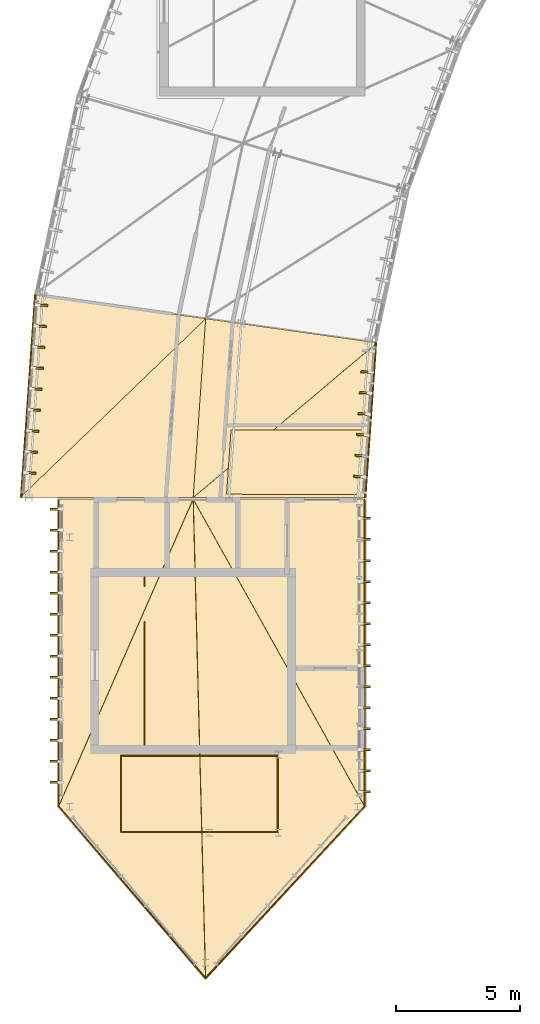
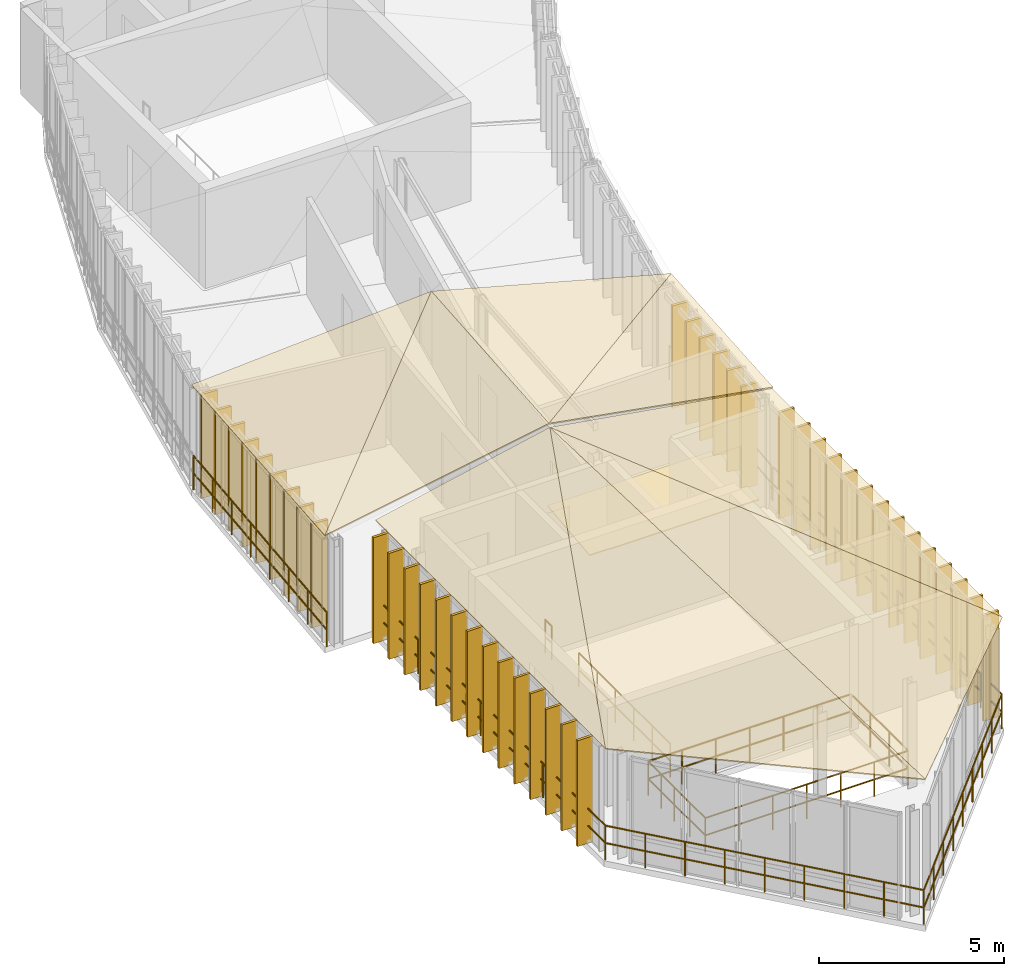
# One storey, part 16 of 18: 52 coverings, 8 railings.
"""IFC4 building model written with IfcOpenShell, lengths in metres."""

import ifcopenshell
import ifcopenshell.guid

model = None  # the IFC model being written
_history = None  # IfcOwnerHistory: only IFC2X3 demands one
_inside = {}  # id of a spatial element -> (the spatial element, [elements in it])
_under = {}  # id of a project, library or spatial element -> (it, [spatial elements below it])
_declared = {}  # id of a project -> (the project, [libraries it declares])
_typed = {}  # id of a type object -> (the type object, [elements of that type])
_made_of = {}  # id of a material, layer set ... -> (it, [elements and type objects made of it])


def new_model(schema):
    """Start an empty IFC model of exactly this schema.

    Asked for "IFC4X3", IfcOpenShell would pick the latest addendum, in which some entities
    have other attributes; the version numbers below select the first issue.
    IFC2X3 requires an IfcOwnerHistory on every rooted entity: one is made here for all.
    """
    global model, _history
    if schema == "IFC4X3":
        model = ifcopenshell.file(schema_version=(4, 3, 0, 0))
    else:
        model = ifcopenshell.file(schema=schema)
    _inside.clear()
    _under.clear()
    _declared.clear()
    _typed.clear()
    _made_of.clear()
    _history = None
    if model.schema == "IFC2X3":
        org = make("IfcOrganization", Name="unknown")
        user = make(
            "IfcPersonAndOrganization",
            ThePerson=make("IfcPerson", FamilyName="unknown"),
            TheOrganization=org,
        )
        app = make(
            "IfcApplication",
            ApplicationDeveloper=org,
            Version="unknown",
            ApplicationFullName="unknown",
            ApplicationIdentifier="unknown",
        )
        _history = make(
            "IfcOwnerHistory",
            OwningUser=user,
            OwningApplication=app,
            ChangeAction="ADDED",
            CreationDate=0,
        )
    return model


def make(cls, **values):
    """One entity of the class cls with the attributes given. An attribute that is None is left unset."""
    return model.create_entity(
        cls, **{name: value for name, value in values.items() if value is not None}
    )


def rooted(cls, **values):
    """An entity with a GlobalId (a new one), such as an element, a storey or a relation."""
    return make(cls, GlobalId=ifcopenshell.guid.new(), OwnerHistory=_history, **values)


def si_unit(unit_type, name, prefix=None):
    """IfcSIUnit, for example si_unit("LENGTHUNIT", "METRE", prefix="MILLI")."""
    return make("IfcSIUnit", UnitType=unit_type, Prefix=prefix, Name=name)


def assignment(units):
    """IfcUnitAssignment: the units of a project."""
    return None if units is None else make("IfcUnitAssignment", Units=units)


def point(xyz):
    """IfcCartesianPoint."""
    return None if xyz is None else make("IfcCartesianPoint", Coordinates=xyz)


def direction(xyz):
    """IfcDirection."""
    return None if xyz is None else make("IfcDirection", DirectionRatios=xyz)


def frame(location, z_axis=None, x_axis=None):
    """IfcAxis2Placement3D, a coordinate frame: its origin and axes. An axis left out is left unset."""
    return make(
        "IfcAxis2Placement3D",
        Location=point(location),
        Axis=direction(z_axis),
        RefDirection=direction(x_axis),
    )


def frame_2d(location, x_axis=None):
    """IfcAxis2Placement2D, a coordinate frame in the plane: its origin and x axis."""
    return make(
        "IfcAxis2Placement2D", Location=point(location), RefDirection=direction(x_axis)
    )


def origin():
    """The frame at (0, 0, 0) with its axes left unset."""
    return frame((0.0, 0.0, 0.0))


def origin_2d():
    """The frame at (0, 0) in the plane with its x axis left unset."""
    return frame_2d((0.0, 0.0))


def place(relative_to, where):
    """IfcLocalPlacement: puts the frame where relative to a parent placement (None: the world)."""
    return make(
        "IfcLocalPlacement", PlacementRelTo=relative_to, RelativePlacement=where
    )


def context(
    kind, dimensions, precision=None, world=None, true_north=None, identifier=None
):
    """IfcGeometricRepresentationContext, for example the 3D "Model" context."""
    return make(
        "IfcGeometricRepresentationContext",
        ContextIdentifier=identifier,
        ContextType=kind,
        CoordinateSpaceDimension=dimensions,
        Precision=precision,
        WorldCoordinateSystem=world,
        TrueNorth=true_north,
    )


def subcontext(parent, identifier, kind, view, scale=None):
    """IfcGeometricRepresentationSubContext, for example "Body" below "Model"."""
    return make(
        "IfcGeometricRepresentationSubContext",
        ContextIdentifier=identifier,
        ContextType=kind,
        ParentContext=parent,
        TargetScale=scale,
        TargetView=view,
    )


def project(units=None, contexts=None):
    """IfcProject with its units and contexts."""
    return rooted(
        "IfcProject",
        Name="project",
        RepresentationContexts=contexts,
        UnitsInContext=assignment(units),
    )


def spatial(cls, under=None, at=None, **own):
    """A site, building, storey or space (cls), placed at a placement, below another one or the project."""
    s = rooted(cls, ObjectPlacement=at, **own)
    if under is not None:
        _under.setdefault(under.id(), (under, []))[1].append(s)
    return s


def polyline(points):
    """IfcPolyline through the points."""
    return make("IfcPolyline", Points=[point(p) for p in points])


def profile(cls, at=None, kind="AREA", **sizes):
    """A parametric profile (cls). Its sizes go by their IFC names, for example OverallWidth=200.0."""
    return make(cls, ProfileType=kind, Position=at, **sizes)


def rectangle(**sizes):
    """IfcRectangleProfileDef."""
    return profile("IfcRectangleProfileDef", **sizes)


def circle(**sizes):
    """IfcCircleProfileDef."""
    return profile("IfcCircleProfileDef", **sizes)


def outline(outer, holes=None, kind="AREA"):
    """IfcArbitraryClosedProfileDef: a profile drawn as a closed curve; with holes, ...WithVoids."""
    if holes is None:
        return make("IfcArbitraryClosedProfileDef", ProfileType=kind, OuterCurve=outer)
    return make(
        "IfcArbitraryProfileDefWithVoids",
        ProfileType=kind,
        OuterCurve=outer,
        InnerCurves=holes,
    )


def extrude(swept, where, along, depth):
    """IfcExtrudedAreaSolid: the profile swept, set in the frame where, extruded along a direction by depth."""
    return make(
        "IfcExtrudedAreaSolid",
        SweptArea=swept,
        Position=where,
        ExtrudedDirection=direction(along),
        Depth=depth,
    )


def shape(context_of_items, identifier, shape_type, items):
    """IfcShapeRepresentation: the items that make up one representation, for example the "Body"."""
    return make(
        "IfcShapeRepresentation",
        ContextOfItems=context_of_items,
        RepresentationIdentifier=identifier,
        RepresentationType=shape_type,
        Items=items,
    )


def material(Name=None, Category=None):
    """IfcMaterial."""
    return make("IfcMaterial", Name=Name, Category=Category)


def layer(
    of_material, thickness, ventilated=None, Name=None, Category=None, Priority=None
):
    """IfcMaterialLayer: one layer of a wall or slab, of a material (None: an air gap)."""
    return make(
        "IfcMaterialLayer",
        Material=of_material,
        LayerThickness=thickness,
        IsVentilated=ventilated,
        Name=Name,
        Category=Category,
        Priority=Priority,
    )


def layer_set(layers, Name=None):
    """IfcMaterialLayerSet."""
    return make("IfcMaterialLayerSet", MaterialLayers=layers, LayerSetName=Name)


def made_of(thing, what):
    """Note that an element or type object is made of a material, layer set ...; save() writes the relation."""
    if what is not None:
        _made_of.setdefault(what.id(), (what, []))[1].append(thing)
    return thing


def type_object(cls, material=None, **own):
    """A type object (cls), such as IfcWallType, which elements share."""
    return made_of(rooted(cls, **own), material)


def element(
    cls,
    number,
    at=None,
    inside=None,
    cuts=None,
    type_object=None,
    material=None,
    context=None,
    identifier="Body",
    shape_type=None,
    held_by="IfcProductDefinitionShape",
    body=None,
    shapes=None,
    **own,
):
    """One element of the class cls, such as IfcWall. Its Tag is "e" and its number.

    at: its placement. inside: the storey or other place that contains it. cuts: it is an
    opening in that element (IfcRelVoidsElement). A single representation is given by context,
    identifier, shape_type and body (its items); several are given by shapes. held_by: the class
    of the entity that holds the representations. save() writes the other relations.
    """
    e = rooted(cls, Tag="e%d" % number, ObjectPlacement=at, **own)
    if body is not None:
        shapes = [shape(context, identifier, shape_type, body)]
    if shapes is not None:
        e.Representation = make(held_by, Representations=shapes)
    if inside is not None:
        _inside.setdefault(inside.id(), (inside, []))[1].append(e)
    if cuts is not None:
        rooted(
            "IfcRelVoidsElement", RelatingBuildingElement=cuts, RelatedOpeningElement=e
        )
    if type_object is not None:
        _typed.setdefault(type_object.id(), (type_object, []))[1].append(e)
    return made_of(e, material)


def aggregate(whole, parts):
    """IfcRelAggregates: a whole, such as a stair, and the parts it consists of."""
    return rooted("IfcRelAggregates", RelatingObject=whole, RelatedObjects=parts)


def save(model, path):
    """Write the relations noted so far, then the file.

    IfcRelAggregates (storeys below a building ...), IfcRelContainedInSpatialStructure (elements
    in a storey), IfcRelDefinesByType, IfcRelAssociatesMaterial and IfcRelDeclares: one each for
    every whole, place, type object, material and project.
    """
    for whole, parts in _under.values():
        aggregate(whole, parts)
    for where, things in _inside.values():
        rooted(
            "IfcRelContainedInSpatialStructure",
            RelatedElements=things,
            RelatingStructure=where,
        )
    for kind, things in _typed.values():
        rooted("IfcRelDefinesByType", RelatedObjects=things, RelatingType=kind)
    for what, things in _made_of.values():
        rooted("IfcRelAssociatesMaterial", RelatedObjects=things, RelatingMaterial=what)
    for by, libraries in _declared.values():
        rooted("IfcRelDeclares", RelatingContext=by, RelatedDefinitions=libraries)
    model.write(path)


model = new_model("IFC4")

# Units and contexts
model_context = context("Model", 3, precision=1e-05, world=origin(), true_north=direction((0.0, 1.0)))
body_context = subcontext(model_context, "Body", "Model", "MODEL_VIEW")
ifc_project = project(units=[si_unit("LENGTHUNIT", "METRE"), si_unit("AREAUNIT", "SQUARE_METRE"), si_unit("VOLUMEUNIT", "CUBIC_METRE"), si_unit("PLANEANGLEUNIT", "RADIAN"), si_unit("MASSUNIT", "GRAM", prefix="KILO"), si_unit("THERMODYNAMICTEMPERATUREUNIT", "KELVIN"), si_unit("POWERUNIT", "WATT")], contexts=[model_context])

# Site, building, storey
site_placement = place(None, origin())
site = spatial("IfcSite", under=ifc_project, at=site_placement, CompositionType="ELEMENT")
building_placement = place(site_placement, origin())
building = spatial("IfcBuilding", under=site, at=building_placement, Name="Solvatero Civic Police Headquarters", CompositionType="ELEMENT")
storey_placement = place(building_placement, frame((0.0, 0.0, 29.39990234375)))
storey = spatial("IfcBuildingStorey", under=building, at=storey_placement, Name="L07", CompositionType="ELEMENT", Elevation=29.39990234375)

# Coverings
ifc_material_1 = material(Name="Anodized Bronze Aluminium", Category="aluminium")
ifc_layer_1 = layer(ifc_material_1, 0.080078125)
ifc_layer_set_1 = layer_set([ifc_layer_1], Name="Anodized Bronze Aluminium")
covering_type_1 = type_object("IfcCoveringType", Name="COV-FIN-480", PredefinedType="CLADDING", material=ifc_layer_set_1)
for number, where, z_axis, x_axis, name in (
    (1, (35.874755859375, 33.784912109375, -0.02001953125), (0.0, 0.0, 1.0), (-0.069739062956, -0.997565267588, 0.0), "Vertical Brise-Soleil Fin 1438"),
    (2, (35.8154296875, 32.93701171875, -0.02001953125), (0.0, 0.0, 1.0), (-0.069739062956, -0.997565267588, 0.0), "Vertical Brise-Soleil Fin 1439"),
    (3, (35.75634765625, 32.089111328125, -0.02001953125), (0.0, 0.0, 1.0), (-0.069739062956, -0.997565267588, 0.0), "Vertical Brise-Soleil Fin 1440"),
    (4, (35.697021484375, 31.2412109375, -0.02001953125), (0.0, 0.0, 1.0), (-0.069739062956, -0.997565267588, 0.0), "Vertical Brise-Soleil Fin 1441"),
    (5, (35.6376953125, 30.39306640625, -0.02001953125), (0.0, 0.0, 1.0), (-0.069739062956, -0.997565267588, 0.0), "Vertical Brise-Soleil Fin 1442"),
    (6, (35.578369140625, 29.545166015625, -0.02001953125), (0.0, 0.0, 1.0), (-0.069739062956, -0.997565267588, 0.0), "Vertical Brise-Soleil Fin 1443"),
    (7, (35.51904296875, 28.697265625, -0.02001953125), (0.0, 0.0, 1.0), (-0.069739062956, -0.997565267588, 0.0), "Vertical Brise-Soleil Fin 1444"),
    (8, (35.459716796875, 27.849365234375, -0.02001953125), (0.0, 0.0, 1.0), (-0.069739062956, -0.997565267588, 0.0), "Vertical Brise-Soleil Fin 1445"),
    (9, (35.400390625, 27.00146484375, -0.02001953125), (0.0, 0.0, 1.0), (-0.069739062956, -0.997565267588, 0.0), "Vertical Brise-Soleil Fin 1446"),
):
    element("IfcCovering", number, at=place(storey_placement, frame(where, z_axis=z_axis, x_axis=x_axis)), inside=storey, type_object=covering_type_1, Name=name, PredefinedType="CLADDING", context=body_context, shape_type="SweptSolid", body=[
        extrude(rectangle(XDim=0.080078125, YDim=0.47998046875, at=origin_2d()), origin(), (0.0, 0.0, 1.0), 3.433349609375),
    ])
for number, where, z_axis, x_axis, name in (
    (10, (49.02490234375, 31.0830078125, -0.02001953125), (0.0, 0.0, 1.0), (-0.069773884511, -0.997562832628, 0.0), "Vertical Brise-Soleil Fin 1448"),
    (11, (48.9658203125, 30.235107421875, -0.02001953125), (0.0, 0.0, 1.0), (-0.069773884511, -0.997562832628, 0.0), "Vertical Brise-Soleil Fin 1449"),
    (12, (48.906494140625, 29.38720703125, -0.02001953125), (0.0, 0.0, 1.0), (-0.069773884511, -0.997562832628, 0.0), "Vertical Brise-Soleil Fin 1450"),
    (13, (48.84716796875, 28.539306640625, -0.02001953125), (0.0, 0.0, 1.0), (-0.069773884511, -0.997562832628, 0.0), "Vertical Brise-Soleil Fin 1451"),
    (14, (48.787841796875, 27.69140625, -0.02001953125), (0.0, 0.0, 1.0), (-0.069773884511, -0.997562832628, 0.0), "Vertical Brise-Soleil Fin 1452"),
    (15, (48.728515625, 26.843505859375, -0.02001953125), (0.0, 0.0, 1.0), (-0.069773884511, -0.997562832628, 0.0), "Vertical Brise-Soleil Fin 1453"),
):
    element("IfcCovering", number, at=place(storey_placement, frame(where, z_axis=z_axis, x_axis=x_axis)), inside=storey, type_object=covering_type_1, Name=name, PredefinedType="CLADDING", context=body_context, shape_type="SweptSolid", body=[
        extrude(rectangle(XDim=0.080078125, YDim=0.47998046875, at=origin_2d()), origin(), (0.0, 0.0, 1.0), 3.3916015625),
    ])
for number, where, z_axis, x_axis, name in (
    (16, (36.469970703125, 25.5400390625, -0.02001953125), (0.0, 0.0, 1.0), (0.0, -1.0, 0.0), "Vertical Brise-Soleil Fin 1454"),
    (17, (36.469970703125, 24.68994140625, -0.02001953125), (0.0, 0.0, 1.0), (0.0, -1.0, 0.0), "Vertical Brise-Soleil Fin 1455"),
    (18, (36.469970703125, 23.840087890625, -0.02001953125), (0.0, 0.0, 1.0), (0.0, -1.0, 0.0), "Vertical Brise-Soleil Fin 1456"),
    (19, (36.469970703125, 22.989990234375, -0.02001953125), (0.0, 0.0, 1.0), (0.0, -1.0, 0.0), "Vertical Brise-Soleil Fin 1457"),
    (20, (36.469970703125, 22.139892578125, -0.02001953125), (0.0, 0.0, 1.0), (0.0, -1.0, 0.0), "Vertical Brise-Soleil Fin 1458"),
    (21, (36.469970703125, 21.2900390625, -0.02001953125), (0.0, 0.0, 1.0), (0.0, -1.0, 0.0), "Vertical Brise-Soleil Fin 1459"),
    (22, (36.469970703125, 20.43994140625, -0.02001953125), (0.0, 0.0, 1.0), (0.0, -1.0, 0.0), "Vertical Brise-Soleil Fin 1460"),
    (23, (36.469970703125, 19.590087890625, -0.02001953125), (0.0, 0.0, 1.0), (0.0, -1.0, 0.0), "Vertical Brise-Soleil Fin 1461"),
    (24, (36.469970703125, 18.739990234375, -0.02001953125), (0.0, 0.0, 1.0), (0.0, -1.0, 0.0), "Vertical Brise-Soleil Fin 1462"),
    (25, (36.469970703125, 17.889892578125, -0.02001953125), (0.0, 0.0, 1.0), (0.0, -1.0, 0.0), "Vertical Brise-Soleil Fin 1463"),
    (26, (36.469970703125, 17.0400390625, -0.02001953125), (0.0, 0.0, 1.0), (0.0, -1.0, 0.0), "Vertical Brise-Soleil Fin 1464"),
    (27, (36.469970703125, 16.18994140625, -0.02001953125), (0.0, 0.0, 1.0), (0.0, -1.0, 0.0), "Vertical Brise-Soleil Fin 1465"),
    (28, (36.469970703125, 15.340087890625, -0.02001953125), (0.0, 0.0, 1.0), (0.0, -1.0, 0.0), "Vertical Brise-Soleil Fin 1466"),
    (29, (36.469970703125, 14.489990234375, -0.02001953125), (0.0, 0.0, 1.0), (0.0, -1.0, 0.0), "Vertical Brise-Soleil Fin 1467"),
    (30, (48.929931640625, 14.110107421875, -0.02001953125), (0.0, 0.0, 1.0), (0.0, 1.0, 0.0), "Vertical Brise-Soleil Fin 1468"),
    (31, (48.929931640625, 14.9599609375, -0.02001953125), (0.0, 0.0, 1.0), (0.0, 1.0, 0.0), "Vertical Brise-Soleil Fin 1469"),
    (32, (48.929931640625, 15.81005859375, -0.02001953125), (0.0, 0.0, 1.0), (0.0, 1.0, 0.0), "Vertical Brise-Soleil Fin 1470"),
    (33, (48.929931640625, 16.659912109375, -0.02001953125), (0.0, 0.0, 1.0), (0.0, 1.0, 0.0), "Vertical Brise-Soleil Fin 1471"),
    (34, (48.929931640625, 17.510009765625, -0.02001953125), (0.0, 0.0, 1.0), (0.0, 1.0, 0.0), "Vertical Brise-Soleil Fin 1472"),
    (35, (48.929931640625, 18.360107421875, -0.02001953125), (0.0, 0.0, 1.0), (0.0, 1.0, 0.0), "Vertical Brise-Soleil Fin 1473"),
    (36, (48.929931640625, 19.2099609375, -0.02001953125), (0.0, 0.0, 1.0), (0.0, 1.0, 0.0), "Vertical Brise-Soleil Fin 1474"),
    (37, (48.929931640625, 20.06005859375, -0.02001953125), (0.0, 0.0, 1.0), (0.0, 1.0, 0.0), "Vertical Brise-Soleil Fin 1475"),
    (38, (48.929931640625, 20.909912109375, -0.02001953125), (0.0, 0.0, 1.0), (0.0, 1.0, 0.0), "Vertical Brise-Soleil Fin 1476"),
    (39, (48.929931640625, 21.760009765625, -0.02001953125), (0.0, 0.0, 1.0), (0.0, 1.0, 0.0), "Vertical Brise-Soleil Fin 1477"),
    (40, (48.929931640625, 22.610107421875, -0.02001953125), (0.0, 0.0, 1.0), (0.0, 1.0, 0.0), "Vertical Brise-Soleil Fin 1478"),
    (41, (48.929931640625, 23.4599609375, -0.02001953125), (0.0, 0.0, 1.0), (0.0, 1.0, 0.0), "Vertical Brise-Soleil Fin 1479"),
    (42, (48.929931640625, 24.31005859375, -0.02001953125), (0.0, 0.0, 1.0), (0.0, 1.0, 0.0), "Vertical Brise-Soleil Fin 1480"),
    (43, (48.929931640625, 25.159912109375, -0.02001953125), (0.0, 0.0, 1.0), (0.0, 1.0, 0.0), "Vertical Brise-Soleil Fin 1481"),
):
    element("IfcCovering", number, at=place(storey_placement, frame(where, z_axis=z_axis, x_axis=x_axis)), inside=storey, type_object=covering_type_1, Name=name, PredefinedType="CLADDING", context=body_context, shape_type="SweptSolid", body=[
        extrude(rectangle(XDim=0.080078125, YDim=0.47998046875, at=origin_2d()), origin(), (0.0, 0.0, 1.0), 3.5),
    ])
ifc_material_2 = material(Name="Venetian Terrazzo Stone", Category="masonry")
ifc_layer_2 = layer(ifc_material_2, 0.034912109375)
ifc_layer_set_2 = layer_set([ifc_layer_2], Name="Venetian Terrazzo Stone")
covering_type_2 = type_object("IfcCoveringType", Name="COV-FLR-TER", PredefinedType="FLOORING", material=ifc_layer_set_2)
covering_1_placement = place(storey_placement, origin())
element("IfcCovering", 44, at=covering_1_placement, inside=storey, type_object=covering_type_2, Name="Flooring L07 Operations Wing Accessible Restroom", PredefinedType="FLOORING", context=body_context, shape_type="SweptSolid", body=[
    extrude(outline(polyline([(44.0126953125, 26.1201171875), (44.0107421875, 26.121826171875), (44.00439453125, 26.12646484375), (43.997802734375, 26.130615234375), (43.990478515625, 26.1337890625), (43.983154296875, 26.13671875), (43.9755859375, 26.138427734375), (43.9677734375, 26.1396484375), (43.9599609375, 26.139892578125), (43.35009765625, 26.139892578125), (43.53125, 28.72998046875), (48.820556640625, 28.72998046875), (48.63818359375, 26.1201171875), (44.0126953125, 26.1201171875)])), origin(), (0.0, 0.0, 1.0), 0.03515625),
])
ifc_layer_3 = layer(ifc_material_1, 0.0400390625)
ifc_layer_set_3 = layer_set([ifc_layer_3], Name="Anodized Bronze Aluminium")
covering_type_3 = type_object("IfcCoveringType", Name="COV-RF-ZINC", PredefinedType="ROOFING", material=ifc_layer_set_3)
covering_2_placement = place(storey_placement, frame((49.43798828125, 32.2626953125, 3.489990234375), z_axis=(0.179440439979, 0.014661836496, 0.983659574777), x_axis=(-0.974844367993, 0.137026868336, 0.175789918787)))
element("IfcCovering", 45, at=covering_2_placement, inside=storey, type_object=covering_type_3, Name="Operations Arc Standing-Seam Roof Covering B12 IN1", PredefinedType="ROOFING", context=body_context, shape_type="SweptSolid", body=[
    extrude(outline(polyline([(0.0, 0.0), (7.110760438508852, 0.0), (6.64765317536819, 7.242706397033916), (0.0, 0.0)])), origin(), (0.0, 0.0, -1.0), 0.0400390625),
])
covering_3_placement = place(storey_placement, frame((49.43798828125, 32.2626953125, 3.489990234375), z_axis=(0.175758331943, 0.019170895555, 0.98424665888), x_axis=(-0.756586965259, -0.637036986569, 0.147512852808)))
element("IfcCovering", 46, at=covering_3_placement, inside=storey, type_object=covering_type_3, Name="Operations Arc Standing-Seam Roof Covering B12 IN2", PredefinedType="ROOFING", context=body_context, shape_type="SweptSolid", body=[
    extrude(outline(polyline([(0.0, 0.0), (9.830975978691983, -1.1102230246251565e-16), (4.350476155871381, 4.53063148932501), (0.0, 0.0)])), origin(), (0.0, 0.0, -1.0), 0.0400390625),
])
covering_4_placement = place(storey_placement, frame((42.506103515625, 33.237060546875, 4.739990234375), z_axis=(-0.172438649705, 0.036058363645, 0.984360049219), x_axis=(-0.974848953777, 0.136993178797, -0.175790745724)))
element("IfcCovering", 47, at=covering_4_placement, inside=storey, type_object=covering_type_3, Name="Operations Arc Standing-Seam Roof Covering B12 OUT1", PredefinedType="ROOFING", context=body_context, shape_type="SweptSolid", body=[
    extrude(outline(polyline([(0.0, 0.0), (7.110726988796059, -5.898059818321144e-17), (6.510435178572582, 8.211757364530094), (0.0, 0.0)])), origin(), (0.0, 0.0, -1.0), 0.0400390625),
])
covering_5_placement = place(storey_placement, frame((42.506103515625, 33.237060546875, 4.739990234375), z_axis=(-0.175653485663, 0.039494331948, 0.983659519711), x_axis=(-0.716269321565, -0.690595918008, -0.100177527492)))
element("IfcCovering", 48, at=covering_5_placement, inside=storey, type_object=covering_type_3, Name="Operations Arc Standing-Seam Roof Covering B12 OUT2", PredefinedType="ROOFING", context=body_context, shape_type="SweptSolid", body=[
    extrude(outline(polyline([(0.0, 0.0), (10.479442982730982, -2.498001805406602e-16), (5.340335822407926, 4.914476329652662), (0.0, 0.0)])), origin(), (0.0, 0.0, -1.0), 0.0400390625),
])
covering_6_placement = place(storey_placement, frame((36.550048828125, 25.949951171875, 3.690185546875), z_axis=(-0.206447848502, 0.0, 0.978457605545), x_axis=(0.0, -1.0, 0.0)))
element("IfcCovering", 49, at=covering_6_placement, inside=storey, type_object=covering_type_3, Name="South-West Prow Standing-Seam Roof Covering W1", PredefinedType="ROOFING", context=body_context, shape_type="SweptSolid", body=[
    extrude(outline(polyline([(0.0, 0.0), (12.449951171875, 0.0), (0.0, 5.5699410388246875), (0.0, 0.0)])), origin(), (0.0, 0.0, -1.0), 0.0400390625),
])
covering_7_placement = place(storey_placement, frame((36.550048828125, 13.5, 3.690185546875), z_axis=(-0.195443870557, -0.005024276638, 0.980702019018), x_axis=(0.642631035318, -0.756042716534, 0.124196470245)))
element("IfcCovering", 50, at=covering_7_placement, inside=storey, type_object=covering_type_3, Name="South-West Prow Standing-Seam Roof Covering W2", PredefinedType="ROOFING", context=body_context, shape_type="SweptSolid", body=[
    extrude(outline(polyline([(0.0, 0.0), (9.258736109634967, 0.0), (-5.767573328462586, 12.35963693879647), (0.0, 0.0)])), origin(), (0.0, 0.0, -1.0), 0.0400390625),
])
covering_8_placement = place(storey_placement, frame((48.949951171875, 13.5, 3.690185546875), z_axis=(0.163235514334, 0.0, 0.986587130901), x_axis=(0.0, 1.0, 0.0)))
element("IfcCovering", 51, at=covering_8_placement, inside=storey, type_object=covering_type_3, Name="South-West Prow Standing-Seam Roof Covering E1", PredefinedType="ROOFING", context=body_context, shape_type="SweptSolid", body=[
    extrude(outline(polyline([(0.0, 0.0), (12.449951171875, 0.0), (12.449951171875, 7.044437287080384), (0.0, 0.0)])), origin(), (0.0, 0.0, -1.0), 0.0400390625),
])
covering_9_placement = place(storey_placement, frame((42.5, 6.5, 4.840087890625), z_axis=(0.170888902154, 0.004393041932, 0.985280510465), x_axis=(0.672731287069, 0.730101497515, -0.119935060452)))
element("IfcCovering", 52, at=covering_9_placement, inside=storey, type_object=covering_type_3, Name="South-West Prow Standing-Seam Roof Covering E2", PredefinedType="ROOFING", context=body_context, shape_type="SweptSolid", body=[
    extrude(outline(polyline([(0.0, 0.0), (9.58770804310047, 0.0), (13.864072833636511, 13.650570869086161), (0.0, 0.0)])), origin(), (0.0, 0.0, -1.0), 0.0400390625),
])

# Railings
ifc_material_3 = material(Name="Anodized Bronze and Laminated Glass", Category="glass")
railing_type_1 = type_object("IfcRailingType", Name="RL-BAL-115", PredefinedType="BALUSTRADE", material=ifc_material_3)
railing_1_placement = place(storey_placement, frame((39.080078125, 12.47998046875, 0.0)))
element("IfcRailing", 53, at=railing_1_placement, inside=storey, type_object=railing_type_1, Name="Prow Stair Well Balustrade L07 SE", PredefinedType="BALUSTRADE", context=body_context, shape_type="SweptSolid", body=[
    extrude(circle(Radius=0.02392578125, at=origin_2d()), frame((0.0, 0.0, 1.1259765625), z_axis=(1.0, 0.0, 0.0), x_axis=(0.0, 1.0, 0.0)), (0.0, 0.0, 1.0), 6.33984375),
    extrude(circle(Radius=0.02392578125, at=origin_2d()), frame((0.0, 0.0, 0.55078125), z_axis=(1.0, 0.0, 0.0), x_axis=(0.0, 1.0, 0.0)), (0.0, 0.0, 1.0), 6.33984375),
    extrude(circle(Radius=0.02392578125, at=origin_2d()), frame((6.33984375, 0.0, 1.1259765625), z_axis=(0.0, 1.0, 0.0), x_axis=(-1.0, 0.0, 0.0)), (0.0, 0.0, 1.0), 3.090087890625),
    extrude(circle(Radius=0.02392578125, at=origin_2d()), frame((6.33984375, 0.0, 0.55078125), z_axis=(0.0, 1.0, 0.0), x_axis=(-1.0, 0.0, 0.0)), (0.0, 0.0, 1.0), 3.090087890625),
    extrude(circle(Radius=0.02099609375, at=origin_2d()), origin(), (0.0, 0.0, 1.0), 1.101806640625),
    extrude(circle(Radius=0.02099609375, at=origin_2d()), frame((1.056640625, 0.0, 0.0)), (0.0, 0.0, 1.0), 1.101806640625),
    extrude(circle(Radius=0.02099609375, at=origin_2d()), frame((2.11328125, 0.0, 0.0)), (0.0, 0.0, 1.0), 1.101806640625),
    extrude(circle(Radius=0.02099609375, at=origin_2d()), frame((3.169921875, 0.0, 0.0)), (0.0, 0.0, 1.0), 1.101806640625),
    extrude(circle(Radius=0.02099609375, at=origin_2d()), frame((4.2265625, 0.0, 0.0)), (0.0, 0.0, 1.0), 1.101806640625),
    extrude(circle(Radius=0.02099609375, at=origin_2d()), frame((5.283203125, 0.0, 0.0)), (0.0, 0.0, 1.0), 1.101806640625),
    extrude(circle(Radius=0.02099609375, at=origin_2d()), frame((6.33984375, 0.0, 0.0)), (0.0, 0.0, 1.0), 1.101806640625),
    extrude(circle(Radius=0.02099609375, at=origin_2d()), frame((6.33984375, 1.030029296875, 0.0)), (0.0, 0.0, 1.0), 1.101806640625),
    extrude(circle(Radius=0.02099609375, at=origin_2d()), frame((6.33984375, 2.06005859375, 0.0)), (0.0, 0.0, 1.0), 1.101806640625),
    extrude(circle(Radius=0.02099609375, at=origin_2d()), frame((6.33984375, 3.090087890625, 0.0)), (0.0, 0.0, 1.0), 1.101806640625),
])
railing_2_placement = place(storey_placement, frame((45.419921875, 15.570068359375, 0.0)))
element("IfcRailing", 54, at=railing_2_placement, inside=storey, type_object=railing_type_1, Name="Prow Stair Well Balustrade L07 NW", PredefinedType="BALUSTRADE", context=body_context, shape_type="SweptSolid", body=[
    extrude(circle(Radius=0.02392578125, at=origin_2d()), frame((0.0, 0.0, 1.1259765625), z_axis=(-1.0, 0.0, 0.0), x_axis=(0.0, -1.0, 0.0)), (0.0, 0.0, 1.0), 6.33984375),
    extrude(circle(Radius=0.02392578125, at=origin_2d()), frame((0.0, 0.0, 0.55078125), z_axis=(-1.0, 0.0, 0.0), x_axis=(0.0, -1.0, 0.0)), (0.0, 0.0, 1.0), 6.33984375),
    extrude(circle(Radius=0.02392578125, at=origin_2d()), frame((-6.33984375, 0.0, 1.1259765625), z_axis=(0.0, -1.0, 0.0), x_axis=(1.0, 0.0, 0.0)), (0.0, 0.0, 1.0), 1.41015625),
    extrude(circle(Radius=0.02392578125, at=origin_2d()), frame((-6.33984375, 0.0, 0.55078125), z_axis=(0.0, -1.0, 0.0), x_axis=(1.0, 0.0, 0.0)), (0.0, 0.0, 1.0), 1.41015625),
    extrude(circle(Radius=0.02099609375, at=origin_2d()), origin(), (0.0, 0.0, 1.0), 1.101806640625),
    extrude(circle(Radius=0.02099609375, at=origin_2d()), frame((-1.056640625, 0.0, 0.0)), (0.0, 0.0, 1.0), 1.101806640625),
    extrude(circle(Radius=0.02099609375, at=origin_2d()), frame((-2.11328125, 0.0, 0.0)), (0.0, 0.0, 1.0), 1.101806640625),
    extrude(circle(Radius=0.02099609375, at=origin_2d()), frame((-3.169921875, 0.0, 0.0)), (0.0, 0.0, 1.0), 1.101806640625),
    extrude(circle(Radius=0.02099609375, at=origin_2d()), frame((-4.2265625, 0.0, 0.0)), (0.0, 0.0, 1.0), 1.101806640625),
    extrude(circle(Radius=0.02099609375, at=origin_2d()), frame((-5.283203125, 0.0, 0.0)), (0.0, 0.0, 1.0), 1.101806640625),
    extrude(circle(Radius=0.02099609375, at=origin_2d()), frame((-6.33984375, 0.0, 0.0)), (0.0, 0.0, 1.0), 1.101806640625),
    extrude(circle(Radius=0.02099609375, at=origin_2d()), frame((-6.33984375, -0.705078125, 0.0)), (0.0, 0.0, 1.0), 1.101806640625),
    extrude(circle(Radius=0.02099609375, at=origin_2d()), frame((-6.33984375, -1.41015625, 0.0)), (0.0, 0.0, 1.0), 1.101806640625),
])
railing_3_placement = place(storey_placement, frame((39.080078125, 14.159912109375, 0.0)))
element("IfcRailing", 55, at=railing_3_placement, inside=storey, type_object=railing_type_1, Name="Prow Stair Top Well West Balustrade L07", PredefinedType="BALUSTRADE", context=body_context, shape_type="SweptSolid", body=[
    extrude(circle(Radius=0.02392578125, at=origin_2d()), frame((0.0, 0.0, 1.1259765625), z_axis=(0.0, -1.0, 0.0), x_axis=(1.0, 0.0, 0.0)), (0.0, 0.0, 1.0), 1.679931640625),
    extrude(circle(Radius=0.02392578125, at=origin_2d()), frame((0.0, 0.0, 0.55078125), z_axis=(0.0, -1.0, 0.0), x_axis=(1.0, 0.0, 0.0)), (0.0, 0.0, 1.0), 1.679931640625),
    extrude(circle(Radius=0.02099609375, at=origin_2d()), origin(), (0.0, 0.0, 1.0), 1.101806640625),
    extrude(circle(Radius=0.02099609375, at=origin_2d()), frame((0.0, -0.83984375, 0.0)), (0.0, 0.0, 1.0), 1.101806640625),
    extrude(circle(Radius=0.02099609375, at=origin_2d()), frame((0.0, -1.679931640625, 0.0)), (0.0, 0.0, 1.0), 1.101806640625),
])
railing_4_placement = place(storey_placement, frame((36.56005859375, 25.89990234375, 0.0)))
element("IfcRailing", 56, at=railing_4_placement, inside=storey, type_object=railing_type_1, Name="Glazed Facade Sill Balustrade RL-L07-PROW-PERIM", PredefinedType="BALUSTRADE", context=body_context, shape_type="SweptSolid", body=[
    extrude(circle(Radius=0.02392578125, at=origin_2d()), frame((0.0, 0.0, 1.1259765625), z_axis=(0.0, -1.0, 0.0), x_axis=(1.0, 0.0, 0.0)), (0.0, 0.0, 1.0), 12.3798828125),
    extrude(circle(Radius=0.02392578125, at=origin_2d()), frame((0.0, 0.0, 0.55078125), z_axis=(0.0, -1.0, 0.0), x_axis=(1.0, 0.0, 0.0)), (0.0, 0.0, 1.0), 12.3798828125),
    extrude(circle(Radius=0.02392578125, at=origin_2d()), frame((0.0, -12.3798828125, 1.1259765625), z_axis=(0.65024976551, -0.759720502852, 0.0), x_axis=(0.759720502852, 0.65024976551, 0.0)), (0.0, 0.0, 1.0), 9.134765625),
    extrude(circle(Radius=0.02392578125, at=origin_2d()), frame((0.0, -12.3798828125, 0.55078125), z_axis=(0.65024976551, -0.759720502852, 0.0), x_axis=(0.759720502852, 0.65024976551, 0.0)), (0.0, 0.0, 1.0), 9.134765625),
    extrude(circle(Radius=0.02392578125, at=origin_2d()), frame((5.93994140625, -19.31982421875, 1.1259765625), z_axis=(0.680207746239, 0.733019387163, 0.0), x_axis=(-0.733019387163, 0.680207746239, 0.0)), (0.0, 0.0, 1.0), 9.467529296875),
    extrude(circle(Radius=0.02392578125, at=origin_2d()), frame((5.93994140625, -19.31982421875, 0.55078125), z_axis=(0.680207746239, 0.733019387163, 0.0), x_axis=(-0.733019387163, 0.680207746239, 0.0)), (0.0, 0.0, 1.0), 9.467529296875),
    extrude(circle(Radius=0.02392578125, at=origin_2d()), frame((12.3798828125, -12.3798828125, 1.1259765625), z_axis=(0.0, 1.0, 0.0), x_axis=(-1.0, 0.0, 0.0)), (0.0, 0.0, 1.0), 12.3798828125),
    extrude(circle(Radius=0.02392578125, at=origin_2d()), frame((12.3798828125, -12.3798828125, 0.55078125), z_axis=(0.0, 1.0, 0.0), x_axis=(-1.0, 0.0, 0.0)), (0.0, 0.0, 1.0), 12.3798828125),
    extrude(circle(Radius=0.02099609375, at=origin_2d()), origin(), (0.0, 0.0, 1.0), 1.101806640625),
    extrude(circle(Radius=0.02099609375, at=origin_2d()), frame((0.0, -1.12548828125, 0.0)), (0.0, 0.0, 1.0), 1.101806640625),
    extrude(circle(Radius=0.02099609375, at=origin_2d()), frame((0.0, -2.2509765625, 0.0)), (0.0, 0.0, 1.0), 1.101806640625),
    extrude(circle(Radius=0.02099609375, at=origin_2d()), frame((0.0, -3.376220703125, 0.0)), (0.0, 0.0, 1.0), 1.101806640625),
    extrude(circle(Radius=0.02099609375, at=origin_2d()), frame((0.0, -4.501708984375, 0.0)), (0.0, 0.0, 1.0), 1.101806640625),
    extrude(circle(Radius=0.02099609375, at=origin_2d()), frame((0.0, -5.627197265625, 0.0)), (0.0, 0.0, 1.0), 1.101806640625),
    extrude(circle(Radius=0.02099609375, at=origin_2d()), frame((0.0, -6.752685546875, 0.0)), (0.0, 0.0, 1.0), 1.101806640625),
    extrude(circle(Radius=0.02099609375, at=origin_2d()), frame((0.0, -7.878173828125, 0.0)), (0.0, 0.0, 1.0), 1.101806640625),
    extrude(circle(Radius=0.02099609375, at=origin_2d()), frame((0.0, -9.003662109375, 0.0)), (0.0, 0.0, 1.0), 1.101806640625),
    extrude(circle(Radius=0.02099609375, at=origin_2d()), frame((0.0, -10.12890625, 0.0)), (0.0, 0.0, 1.0), 1.101806640625),
    extrude(circle(Radius=0.02099609375, at=origin_2d()), frame((0.0, -11.25439453125, 0.0)), (0.0, 0.0, 1.0), 1.101806640625),
    extrude(circle(Radius=0.02099609375, at=origin_2d()), frame((0.0, -12.3798828125, 0.0)), (0.0, 0.0, 1.0), 1.101806640625),
    extrude(circle(Radius=0.02099609375, at=origin_2d()), frame((0.742431640625, -13.247314453125, 0.0)), (0.0, 0.0, 1.0), 1.101806640625),
    extrude(circle(Radius=0.02099609375, at=origin_2d()), frame((1.48486328125, -14.11474609375, 0.0)), (0.0, 0.0, 1.0), 1.101806640625),
    extrude(circle(Radius=0.02099609375, at=origin_2d()), frame((2.2275390625, -14.982421875, 0.0)), (0.0, 0.0, 1.0), 1.101806640625),
    extrude(circle(Radius=0.02099609375, at=origin_2d()), frame((2.969970703125, -15.849853515625, 0.0)), (0.0, 0.0, 1.0), 1.101806640625),
    extrude(circle(Radius=0.02099609375, at=origin_2d()), frame((3.71240234375, -16.71728515625, 0.0)), (0.0, 0.0, 1.0), 1.101806640625),
    extrude(circle(Radius=0.02099609375, at=origin_2d()), frame((4.455078125, -17.5849609375, 0.0)), (0.0, 0.0, 1.0), 1.101806640625),
    extrude(circle(Radius=0.02099609375, at=origin_2d()), frame((5.197509765625, -18.452392578125, 0.0)), (0.0, 0.0, 1.0), 1.101806640625),
    extrude(circle(Radius=0.02099609375, at=origin_2d()), frame((5.93994140625, -19.31982421875, 0.0)), (0.0, 0.0, 1.0), 1.101806640625),
    extrude(circle(Radius=0.02099609375, at=origin_2d()), frame((6.744873046875, -18.452392578125, 0.0)), (0.0, 0.0, 1.0), 1.101806640625),
    extrude(circle(Radius=0.02099609375, at=origin_2d()), frame((7.5498046875, -17.5849609375, 0.0)), (0.0, 0.0, 1.0), 1.101806640625),
    extrude(circle(Radius=0.02099609375, at=origin_2d()), frame((8.35498046875, -16.71728515625, 0.0)), (0.0, 0.0, 1.0), 1.101806640625),
    extrude(circle(Radius=0.02099609375, at=origin_2d()), frame((9.159912109375, -15.849853515625, 0.0)), (0.0, 0.0, 1.0), 1.101806640625),
    extrude(circle(Radius=0.02099609375, at=origin_2d()), frame((9.96484375, -14.982421875, 0.0)), (0.0, 0.0, 1.0), 1.101806640625),
    extrude(circle(Radius=0.02099609375, at=origin_2d()), frame((10.77001953125, -14.11474609375, 0.0)), (0.0, 0.0, 1.0), 1.101806640625),
    extrude(circle(Radius=0.02099609375, at=origin_2d()), frame((11.574951171875, -13.247314453125, 0.0)), (0.0, 0.0, 1.0), 1.101806640625),
    extrude(circle(Radius=0.02099609375, at=origin_2d()), frame((12.3798828125, -12.3798828125, 0.0)), (0.0, 0.0, 1.0), 1.101806640625),
    extrude(circle(Radius=0.02099609375, at=origin_2d()), frame((12.3798828125, -11.25439453125, 0.0)), (0.0, 0.0, 1.0), 1.101806640625),
    extrude(circle(Radius=0.02099609375, at=origin_2d()), frame((12.3798828125, -10.12890625, 0.0)), (0.0, 0.0, 1.0), 1.101806640625),
    extrude(circle(Radius=0.02099609375, at=origin_2d()), frame((12.3798828125, -9.003662109375, 0.0)), (0.0, 0.0, 1.0), 1.101806640625),
    extrude(circle(Radius=0.02099609375, at=origin_2d()), frame((12.3798828125, -7.878173828125, 0.0)), (0.0, 0.0, 1.0), 1.101806640625),
    extrude(circle(Radius=0.02099609375, at=origin_2d()), frame((12.3798828125, -6.752685546875, 0.0)), (0.0, 0.0, 1.0), 1.101806640625),
    extrude(circle(Radius=0.02099609375, at=origin_2d()), frame((12.3798828125, -5.627197265625, 0.0)), (0.0, 0.0, 1.0), 1.101806640625),
    extrude(circle(Radius=0.02099609375, at=origin_2d()), frame((12.3798828125, -4.501708984375, 0.0)), (0.0, 0.0, 1.0), 1.101806640625),
    extrude(circle(Radius=0.02099609375, at=origin_2d()), frame((12.3798828125, -3.376220703125, 0.0)), (0.0, 0.0, 1.0), 1.101806640625),
    extrude(circle(Radius=0.02099609375, at=origin_2d()), frame((12.3798828125, -2.2509765625, 0.0)), (0.0, 0.0, 1.0), 1.101806640625),
    extrude(circle(Radius=0.02099609375, at=origin_2d()), frame((12.3798828125, -1.12548828125, 0.0)), (0.0, 0.0, 1.0), 1.101806640625),
    extrude(circle(Radius=0.02099609375, at=origin_2d()), frame((12.3798828125, 0.0, 0.0)), (0.0, 0.0, 1.0), 1.101806640625),
])
railing_5_placement = place(storey_placement, frame((49.37841796875, 32.27099609375, 0.0)))
element("IfcRailing", 57, at=railing_5_placement, inside=storey, type_object=railing_type_1, Name="Glazed Facade Sill Balustrade RL-L07-ARCIN-B12", PredefinedType="BALUSTRADE", context=body_context, shape_type="SweptSolid", body=[
    extrude(circle(Radius=0.02392578125, at=origin_2d()), frame((0.0, 0.0, 1.1259765625), z_axis=(-0.069751059496, -0.997564428846, 0.0), x_axis=(0.997564428846, -0.069751059496, 0.0)), (0.0, 0.0, 1.0), 6.286376953125),
    extrude(circle(Radius=0.02392578125, at=origin_2d()), frame((0.0, 0.0, 0.55078125), z_axis=(-0.069751059496, -0.997564428846, 0.0), x_axis=(0.997564428846, -0.069751059496, 0.0)), (0.0, 0.0, 1.0), 6.286376953125),
    extrude(circle(Radius=0.02099609375, at=origin_2d()), origin(), (0.0, 0.0, 1.0), 1.101806640625),
    extrude(circle(Radius=0.02099609375, at=origin_2d()), frame((-0.072998046875, -1.045166015625, 0.0)), (0.0, 0.0, 1.0), 1.101806640625),
    extrude(circle(Radius=0.02099609375, at=origin_2d()), frame((-0.146240234375, -2.09033203125, 0.0)), (0.0, 0.0, 1.0), 1.101806640625),
    extrude(circle(Radius=0.02099609375, at=origin_2d()), frame((-0.21923828125, -3.135498046875, 0.0)), (0.0, 0.0, 1.0), 1.101806640625),
    extrude(circle(Radius=0.02099609375, at=origin_2d()), frame((-0.292236328125, -4.1806640625, 0.0)), (0.0, 0.0, 1.0), 1.101806640625),
    extrude(circle(Radius=0.02099609375, at=origin_2d()), frame((-0.365478515625, -5.225830078125, 0.0)), (0.0, 0.0, 1.0), 1.101806640625),
    extrude(circle(Radius=0.02099609375, at=origin_2d()), frame((-0.4384765625, -6.27099609375, 0.0)), (0.0, 0.0, 1.0), 1.101806640625),
])
railing_6_placement = place(storey_placement, frame((35.633544921875, 34.202880859375, 0.0)))
element("IfcRailing", 58, at=railing_6_placement, inside=storey, type_object=railing_type_1, Name="Glazed Facade Sill Balustrade RL-L07-ARCOUT-B12", PredefinedType="BALUSTRADE", context=body_context, shape_type="SweptSolid", body=[
    extrude(circle(Radius=0.02392578125, at=origin_2d()), frame((0.0, 0.0, 1.1259765625), z_axis=(-0.069742558988, -0.997565023177, 0.0), x_axis=(0.997565023177, -0.069742558988, 0.0)), (0.0, 0.0, 1.0), 8.222900390625),
    extrude(circle(Radius=0.02392578125, at=origin_2d()), frame((0.0, 0.0, 0.55078125), z_axis=(-0.069742558988, -0.997565023177, 0.0), x_axis=(0.997565023177, -0.069742558988, 0.0)), (0.0, 0.0, 1.0), 8.222900390625),
    extrude(circle(Radius=0.02099609375, at=origin_2d()), origin(), (0.0, 0.0, 1.0), 1.101806640625),
    extrude(circle(Radius=0.02099609375, at=origin_2d()), frame((-0.08203125, -1.171875, 0.0)), (0.0, 0.0, 1.0), 1.101806640625),
    extrude(circle(Radius=0.02099609375, at=origin_2d()), frame((-0.163818359375, -2.34375, 0.0)), (0.0, 0.0, 1.0), 1.101806640625),
    extrude(circle(Radius=0.02099609375, at=origin_2d()), frame((-0.245849609375, -3.515625, 0.0)), (0.0, 0.0, 1.0), 1.101806640625),
    extrude(circle(Radius=0.02099609375, at=origin_2d()), frame((-0.32763671875, -4.687255859375, 0.0)), (0.0, 0.0, 1.0), 1.101806640625),
    extrude(circle(Radius=0.02099609375, at=origin_2d()), frame((-0.40966796875, -5.859130859375, 0.0)), (0.0, 0.0, 1.0), 1.101806640625),
    extrude(circle(Radius=0.02099609375, at=origin_2d()), frame((-0.491455078125, -7.031005859375, 0.0)), (0.0, 0.0, 1.0), 1.101806640625),
    extrude(circle(Radius=0.02099609375, at=origin_2d()), frame((-0.573486328125, -8.202880859375, 0.0)), (0.0, 0.0, 1.0), 1.101806640625),
])
ifc_material_4 = material(Name="Painted Galvanized Steel", Category="steel")
railing_type_2 = type_object("IfcRailingType", Name="RL-GRD-110", PredefinedType="GUARDRAIL", material=ifc_material_4)
railing_7_placement = place(storey_placement, frame((40.030029296875, 16.010009765625, 0.0)))
element("IfcRailing", 59, at=railing_7_placement, inside=storey, type_object=railing_type_2, Name="ST-C1 Top Landing Well Guardrail", PredefinedType="GUARDRAIL", context=body_context, shape_type="SweptSolid", body=[
    extrude(circle(Radius=0.02392578125, at=origin_2d()), frame((0.0, 0.0, 1.09619140625), z_axis=(0.0, 1.0, 0.0), x_axis=(-1.0, 0.0, 0.0)), (0.0, 0.0, 1.0), 4.9599609375),
    extrude(circle(Radius=0.02392578125, at=origin_2d()), frame((0.0, 0.0, 0.5361328125), z_axis=(0.0, 1.0, 0.0), x_axis=(-1.0, 0.0, 0.0)), (0.0, 0.0, 1.0), 4.9599609375),
    extrude(circle(Radius=0.02099609375, at=origin_2d()), origin(), (0.0, 0.0, 1.0), 1.072021484375),
    extrude(circle(Radius=0.02099609375, at=origin_2d()), frame((0.0, 0.991943359375, 0.0)), (0.0, 0.0, 1.0), 1.072021484375),
    extrude(circle(Radius=0.02099609375, at=origin_2d()), frame((0.0, 1.98388671875, 0.0)), (0.0, 0.0, 1.0), 1.072021484375),
    extrude(circle(Radius=0.02099609375, at=origin_2d()), frame((0.0, 2.97607421875, 0.0)), (0.0, 0.0, 1.0), 1.072021484375),
    extrude(circle(Radius=0.02099609375, at=origin_2d()), frame((0.0, 3.968017578125, 0.0)), (0.0, 0.0, 1.0), 1.072021484375),
    extrude(circle(Radius=0.02099609375, at=origin_2d()), frame((0.0, 4.9599609375, 0.0)), (0.0, 0.0, 1.0), 1.072021484375),
])
railing_8_placement = place(storey_placement, frame((40.030029296875, 22.429931640625, 0.0)))
element("IfcRailing", 60, at=railing_8_placement, inside=storey, type_object=railing_type_2, Name="ST-C1 Top Landing North Slot Guardrail", PredefinedType="GUARDRAIL", context=body_context, shape_type="SweptSolid", body=[
    extrude(circle(Radius=0.02392578125, at=origin_2d()), frame((0.0, 0.0, 1.09619140625), z_axis=(0.0, 1.0, 0.0), x_axis=(-1.0, 0.0, 0.0)), (0.0, 0.0, 1.0), 0.360107421875),
    extrude(circle(Radius=0.02392578125, at=origin_2d()), frame((0.0, 0.0, 0.5361328125), z_axis=(0.0, 1.0, 0.0), x_axis=(-1.0, 0.0, 0.0)), (0.0, 0.0, 1.0), 0.360107421875),
    extrude(circle(Radius=0.02099609375, at=origin_2d()), origin(), (0.0, 0.0, 1.0), 1.072021484375),
    extrude(circle(Radius=0.02099609375, at=origin_2d()), frame((0.0, 0.360107421875, 0.0)), (0.0, 0.0, 1.0), 1.072021484375),
])

save(model, "model.ifc")
